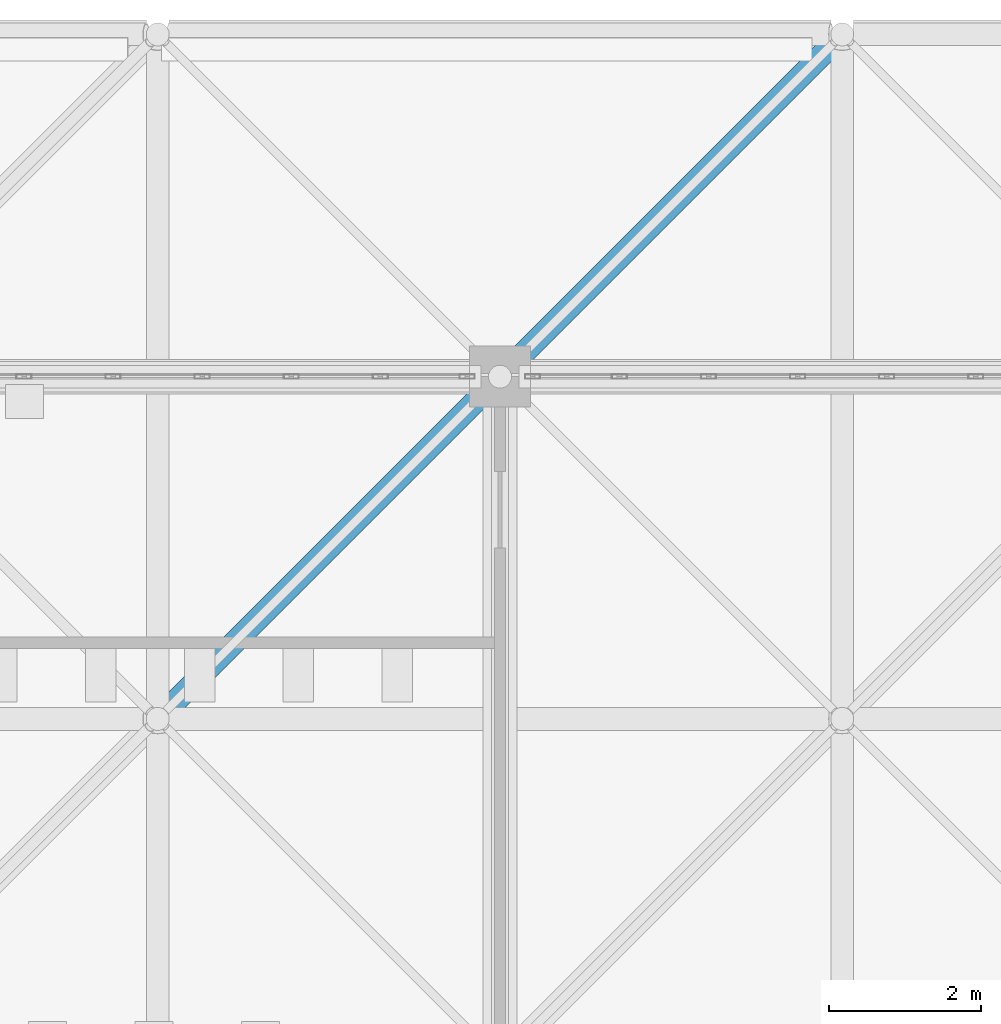
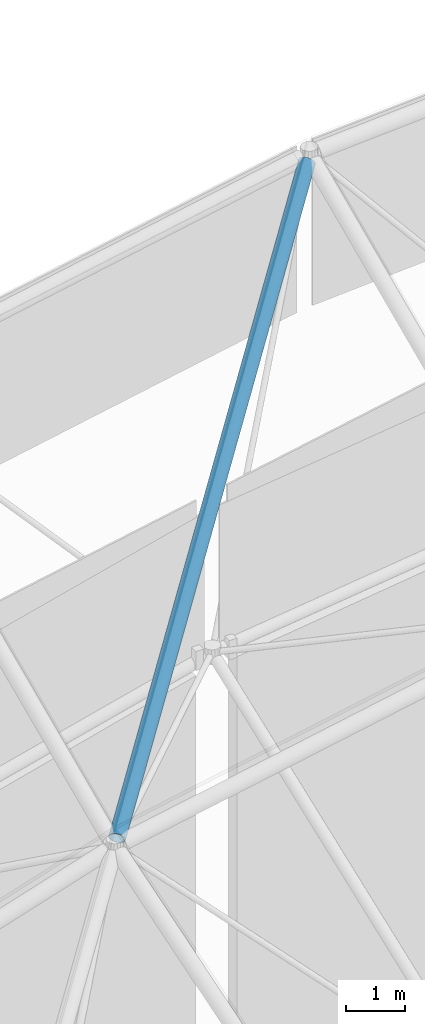
# One storey, part 114 of 437: 1 member.
"""IFC4 building model written with IfcOpenShell, lengths in metres."""

from ifc_helpers import new_model, si_unit, direction, frame, origin, origin_2d, place, context, subcontext, project, spatial, hollow_circle, extrude, material, material_profile, profile_set, type_object, element, save


model = new_model("IFC4")

# Units and contexts
model_context = context("Model", 3, precision=1e-05, world=origin(), true_north=direction((0.0, 1.0)))
body_context = subcontext(model_context, "Body", "Model", "MODEL_VIEW")
ifc_project = project(units=[si_unit("LENGTHUNIT", "METRE"), si_unit("AREAUNIT", "SQUARE_METRE"), si_unit("VOLUMEUNIT", "CUBIC_METRE"), si_unit("PLANEANGLEUNIT", "RADIAN"), si_unit("MASSUNIT", "GRAM", prefix="KILO")], contexts=[model_context])

# Site, building, storey
site_placement = place(None, origin())
site = spatial("IfcSite", under=ifc_project, at=site_placement, CompositionType="ELEMENT")
building_placement = place(site_placement, origin())
building = spatial("IfcBuilding", under=site, at=building_placement, Name="Opaline Strait Convention Centre", CompositionType="ELEMENT")
storey_placement = place(building_placement, frame((0.0, 0.0, 11.5)))
storey = spatial("IfcBuildingStorey", under=building, at=storey_placement, Name="L02", CompositionType="ELEMENT", Elevation=11.5)

# Member
ifc_material = material(Name="Steel Q355B", Category="steel")
ifc_material_profile = material_profile(ifc_material, hollow_circle(Radius=0.1494140625, WallThickness=0.010009765625, at=origin_2d()), Name="CHS 299x10")
ifc_profile_set = profile_set([ifc_material_profile], Name="Steel Q355B")
member_type = type_object("IfcMemberType", Name="Shell truss top chord CHS 299x10", PredefinedType="CHORD", material=ifc_profile_set)
member_placement = place(storey_placement, frame((22.606201171875, 175.606201171875, 16.76953125), z_axis=(0.64507433768, 0.64507433768, 0.409582955863), x_axis=(-0.707106781187, 0.707106781187, 0.0)))
element("IfcMember", 1, at=member_placement, inside=storey, type_object=member_type, Name="PTC2 top chord D3-8", PredefinedType="CHORD", context=body_context, shape_type="SweptSolid", body=[
    extrude(hollow_circle(Radius=0.1494140625, WallThickness=0.010009765625, at=origin_2d()), origin(), (0.0, 0.0, 1.0), 13.62255859375),
])

save(model, "model.ifc")
